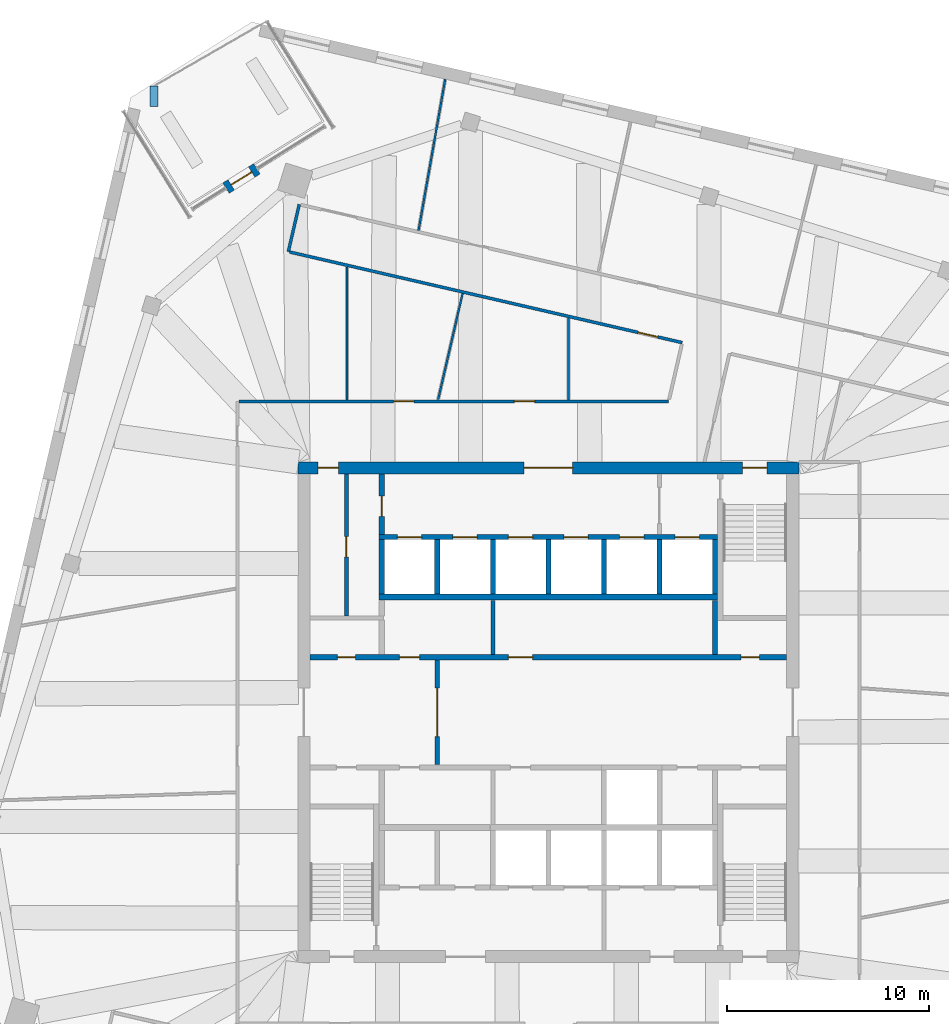
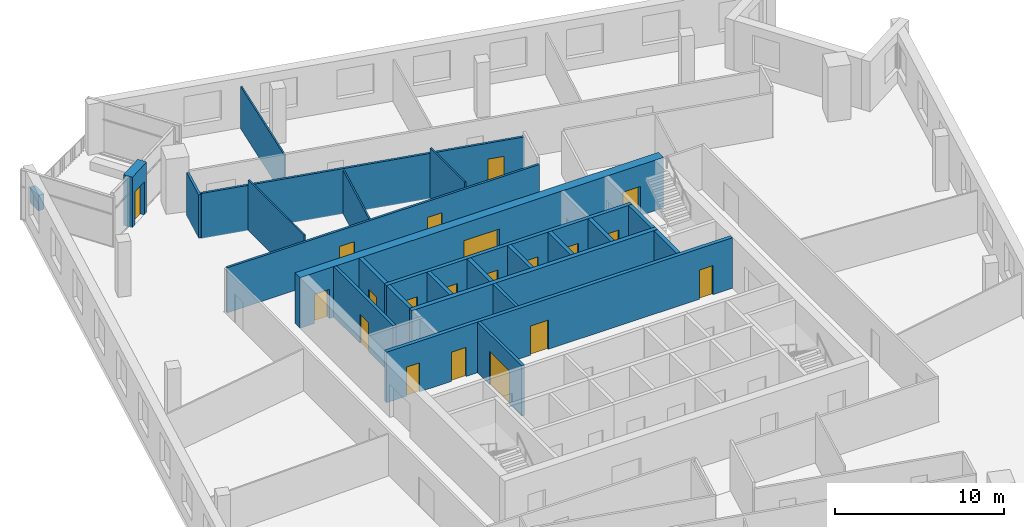
# One storey, part 9 of 14: 25 walls, 20 doors, 20 openings.
"""IFC4 building model written with IfcOpenShell, lengths in metres."""

from ifc_helpers import new_model, si_unit, direction, frame, frame_2d, origin, place, context, subcontext, project, spatial, rectangle, extrude, material, layer, layer_set, type_object, element, fill, save


model = new_model("IFC4")

# Units and contexts
model_context = context("Model", 3, precision=1e-05, world=origin(), true_north=direction((0.0, 1.0)))
body_context = subcontext(model_context, "Body", "Model", "MODEL_VIEW")
ifc_project = project(units=[si_unit("LENGTHUNIT", "METRE"), si_unit("AREAUNIT", "SQUARE_METRE"), si_unit("VOLUMEUNIT", "CUBIC_METRE"), si_unit("PLANEANGLEUNIT", "RADIAN"), si_unit("MASSUNIT", "GRAM", prefix="KILO")], contexts=[model_context])

# Site, building, storey
site_placement = place(None, origin())
site = spatial("IfcSite", under=ifc_project, at=site_placement, CompositionType="ELEMENT")
building_placement = place(site_placement, origin())
building = spatial("IfcBuilding", under=site, at=building_placement, Name="Dilmun Exchange Tower", CompositionType="ELEMENT")
storey_placement = place(building_placement, frame((0.0, 0.0, 336.5)))
storey = spatial("IfcBuildingStorey", under=building, at=storey_placement, Name="L80", CompositionType="ELEMENT", Elevation=336.5)

# Wall, opening, door
ifc_material_1 = material(Name="Concrete C40/50", Category="concrete")
ifc_layer_1 = layer(ifc_material_1, 0.199951171875)
ifc_layer_set_1 = layer_set([ifc_layer_1], Name="Concrete C40/50")
wall_type_1 = type_object("IfcWallType", Name="Core partition wall 200", PredefinedType="PARTITIONING", material=ifc_layer_set_1)
wall_1_placement = place(storey_placement, frame((-5.5, -2.594970703125, 0.0), z_axis=(0.0, 0.0, 1.0), x_axis=(0.0, 1.0, 0.0)))
wall_1 = element("IfcWall", 1, at=wall_1_placement, inside=storey, type_object=wall_type_1, Name="L80 core partition wall 11", PredefinedType="PARTITIONING", context=body_context, shape_type="SweptSolid", body=[
    extrude(rectangle(XDim=5.18994140625, YDim=0.199951171875, at=frame_2d((2.594970703125, 0.0))), origin(), (0.0, 0.0, 1.0), 3.64990234375),
])
opening_1_placement = place(wall_1_placement, frame((1.39501953125, 0.0, 0.0)))
opening_1 = element("IfcOpeningElement", 2, at=opening_1_placement, cuts=wall_1, Name="Opening CD1", PredefinedType="OPENING", context=body_context, shape_type="SweptSolid", body=[
    extrude(rectangle(XDim=2.39990234375, YDim=2.39990234375, at=frame_2d((1.199951171875, 1.199951171875))), frame((0.0, 0.10986328125, 0.0), z_axis=(0.0, -1.0, 0.0), x_axis=(1.0, 0.0, 0.0)), (0.0, 0.0, 1.0), 0.219970703125),
])
ifc_material_2 = material(Name="Fire-rated steel door set", Category="steel")
door_type_1 = type_object("IfcDoorType", Name="Core lobby door 2400x2400", OperationType="DOUBLE_DOOR_DOUBLE_SWING", PredefinedType="DOOR", material=ifc_material_2)
door_1_placement = place(opening_1_placement, origin())
door_1 = element("IfcDoor", 3, at=door_1_placement, inside=storey, type_object=door_type_1, Name="L80 door Lift lobby east", OperationType="SINGLE_SWING_LEFT", OverallHeight=2.39990234375, OverallWidth=2.39990234375, PredefinedType="DOOR", context=body_context, shape_type="SweptSolid", body=[
    extrude(rectangle(XDim=2.39990234375, YDim=2.39990234375, at=frame_2d((1.199951171875, 1.199951171875))), frame((0.0, 0.02490234375, 0.0), z_axis=(0.0, -1.0, 0.0), x_axis=(1.0, 0.0, 0.0)), (0.0, 0.0, 1.0), 0.050048828125),
])
fill(opening_1, door_1)

# Wall
wall_2_placement = place(storey_placement, frame((-2.75, 2.85498046875, 0.0), z_axis=(0.0, 0.0, 1.0), x_axis=(0.0, 1.0, 0.0)))
element("IfcWall", 4, at=wall_2_placement, inside=storey, type_object=wall_type_1, Name="L80 core partition wall 14", PredefinedType="PARTITIONING", context=body_context, shape_type="SweptSolid", body=[
    extrude(rectangle(XDim=2.68994140625, YDim=0.199951171875, at=frame_2d((1.344970703125, 0.0))), origin(), (0.0, 0.0, 1.0), 3.64990234375),
])

# Wall, opening, door
wall_3_placement = place(storey_placement, frame((-10.0, 4.780029296875, 0.0), z_axis=(0.0, 0.0, 1.0), x_axis=(0.0, 1.0, 0.0)))
wall_3 = element("IfcWall", 5, at=wall_3_placement, inside=storey, type_object=wall_type_1, Name="L80 core partition wall 17", PredefinedType="PARTITIONING", context=body_context, shape_type="SweptSolid", body=[
    extrude(rectangle(XDim=7.014892578125, YDim=0.199951171875, at=frame_2d((3.50732421875, 0.0))), origin(), (0.0, 0.0, 1.0), 3.64990234375),
])
opening_2_placement = place(wall_3_placement, frame((2.919921875, 0.0, 0.0)))
opening_2 = element("IfcOpeningElement", 6, at=opening_2_placement, cuts=wall_3, Name="Opening CD4", PredefinedType="OPENING", context=body_context, shape_type="SweptSolid", body=[
    extrude(rectangle(XDim=1.0, YDim=2.10009765625, at=frame_2d((0.5, 1.050048828125))), frame((0.0, 0.10986328125, 0.0), z_axis=(0.0, -1.0, 0.0), x_axis=(1.0, 0.0, 0.0)), (0.0, 0.0, 1.0), 0.219970703125),
])
door_type_2 = type_object("IfcDoorType", Name="Core room door 1000x2100", OperationType="SINGLE_SWING_LEFT", PredefinedType="DOOR", material=ifc_material_2)
door_2_placement = place(opening_2_placement, origin())
door_2 = element("IfcDoor", 7, at=door_2_placement, inside=storey, type_object=door_type_2, Name="L80 door Comms room", OperationType="SINGLE_SWING_LEFT", OverallHeight=2.10009765625, OverallWidth=1.0, PredefinedType="DOOR", context=body_context, shape_type="SweptSolid", body=[
    extrude(rectangle(XDim=1.0, YDim=2.10009765625, at=frame_2d((0.5, 1.050048828125))), frame((0.0, 0.02490234375, 0.0), z_axis=(0.0, -1.0, 0.0), x_axis=(1.0, 0.0, 0.0)), (0.0, 0.0, 1.0), 0.050048828125),
])
fill(opening_2, door_2)

# Wall, openings, doors
ifc_layer_2 = layer(ifc_material_1, 0.25)
ifc_layer_set_2 = layer_set([ifc_layer_2], Name="Concrete C40/50")
wall_type_2 = type_object("IfcWallType", Name="Core partition wall 250", PredefinedType="PARTITIONING", material=ifc_layer_set_2)
wall_4_placement = place(storey_placement, frame((-11.794921875, 2.72509765625, 0.0), z_axis=(0.0, 0.0, 1.0), x_axis=(1.0, 0.0, 0.0)))
wall_4 = element("IfcWall", 8, at=wall_4_placement, inside=storey, type_object=wall_type_2, Name="L80 core partition wall 12", PredefinedType="PARTITIONING", context=body_context, shape_type="SweptSolid", body=[
    extrude(rectangle(XDim=23.58984375, YDim=0.25, at=frame_2d((11.794921875, 0.0))), origin(), (0.0, 0.0, 1.0), 3.64990234375),
])
opening_3_placement = place(wall_4_placement, frame((21.344970703125, 0.0, 0.0)))
opening_3 = element("IfcOpeningElement", 9, at=opening_3_placement, cuts=wall_4, Name="Opening CD6", PredefinedType="OPENING", context=body_context, shape_type="SweptSolid", body=[
    extrude(rectangle(XDim=0.89990234375, YDim=2.10009765625, at=frame_2d((0.449951171875, 1.050048828125))), frame((0.0, 0.135009765625, 0.0), z_axis=(0.0, -1.0, 0.0), x_axis=(1.0, 0.0, 0.0)), (0.0, 0.0, 1.0), 0.27001953125),
])
opening_4_placement = place(wall_4_placement, frame((1.344970703125, 0.0, 0.0)))
opening_4 = element("IfcOpeningElement", 10, at=opening_4_placement, cuts=wall_4, Name="Opening CD6", PredefinedType="OPENING", context=body_context, shape_type="SweptSolid", body=[
    extrude(rectangle(XDim=0.89990234375, YDim=2.10009765625, at=frame_2d((0.449951171875, 1.050048828125))), frame((0.0, 0.135009765625, 0.0), z_axis=(0.0, -1.0, 0.0), x_axis=(1.0, 0.0, 0.0)), (0.0, 0.0, 1.0), 0.27001953125),
])
opening_5_placement = place(wall_4_placement, frame((4.419921875, 0.0, 0.0)))
opening_5 = element("IfcOpeningElement", 11, at=opening_5_placement, cuts=wall_4, Name="Opening CD4", PredefinedType="OPENING", context=body_context, shape_type="SweptSolid", body=[
    extrude(rectangle(XDim=1.0, YDim=2.10009765625, at=frame_2d((0.5, 1.050048828125))), frame((0.0, 0.135009765625, 0.0), z_axis=(0.0, -1.0, 0.0), x_axis=(1.0, 0.0, 0.0)), (0.0, 0.0, 1.0), 0.27001953125),
])
opening_6_placement = place(wall_4_placement, frame((9.820068359375, 0.0, 0.0)))
opening_6 = element("IfcOpeningElement", 12, at=opening_6_placement, cuts=wall_4, Name="Opening CD3", PredefinedType="OPENING", context=body_context, shape_type="SweptSolid", body=[
    extrude(rectangle(XDim=1.199951171875, YDim=2.10009765625, at=frame_2d((0.60009765625, 1.050048828125))), frame((0.0, 0.135009765625, 0.0), z_axis=(0.0, -1.0, 0.0), x_axis=(1.0, 0.0, 0.0)), (0.0, 0.0, 1.0), 0.27001953125),
])
door_3_placement = place(opening_5_placement, origin())
door_3 = element("IfcDoor", 13, at=door_3_placement, inside=storey, type_object=door_type_2, Name="L80 door Archive store", OperationType="SINGLE_SWING_LEFT", OverallHeight=2.10009765625, OverallWidth=1.0, PredefinedType="DOOR", context=body_context, shape_type="SweptSolid", body=[
    extrude(rectangle(XDim=1.0, YDim=2.10009765625, at=frame_2d((0.5, 1.050048828125))), frame((0.0, 0.02490234375, 0.0), z_axis=(0.0, -1.0, 0.0), x_axis=(1.0, 0.0, 0.0)), (0.0, 0.0, 1.0), 0.050048828125),
])
fill(opening_5, door_3)
door_type_3 = type_object("IfcDoorType", Name="Core room door 900x2100", OperationType="SINGLE_SWING_LEFT", PredefinedType="DOOR", material=ifc_material_2)
door_4_placement = place(opening_3_placement, origin())
door_4 = element("IfcDoor", 14, at=door_4_placement, inside=storey, type_object=door_type_3, Name="L80 door Electrical riser", OperationType="SINGLE_SWING_LEFT", OverallHeight=2.10009765625, OverallWidth=0.89990234375, PredefinedType="DOOR", context=body_context, shape_type="SweptSolid", body=[
    extrude(rectangle(XDim=0.89990234375, YDim=2.10009765625, at=frame_2d((0.449951171875, 1.050048828125))), frame((0.0, 0.02490234375, 0.0), z_axis=(0.0, -1.0, 0.0), x_axis=(1.0, 0.0, 0.0)), (0.0, 0.0, 1.0), 0.050048828125),
])
fill(opening_3, door_4)
door_5_placement = place(opening_4_placement, origin())
door_5 = element("IfcDoor", 15, at=door_5_placement, inside=storey, type_object=door_type_3, Name="L80 door Plumbing riser", OperationType="SINGLE_SWING_LEFT", OverallHeight=2.10009765625, OverallWidth=0.89990234375, PredefinedType="DOOR", context=body_context, shape_type="SweptSolid", body=[
    extrude(rectangle(XDim=0.89990234375, YDim=2.10009765625, at=frame_2d((0.449951171875, 1.050048828125))), frame((0.0, 0.02490234375, 0.0), z_axis=(0.0, -1.0, 0.0), x_axis=(1.0, 0.0, 0.0)), (0.0, 0.0, 1.0), 0.050048828125),
])
fill(opening_4, door_5)
door_type_4 = type_object("IfcDoorType", Name="Stair exit door 1200x2100", OperationType="SINGLE_SWING_LEFT", PredefinedType="DOOR", material=ifc_material_2)
door_6_placement = place(opening_6_placement, origin())
door_6 = element("IfcDoor", 16, at=door_6_placement, inside=storey, type_object=door_type_4, Name="L80 door Facilities workshop", OperationType="SINGLE_SWING_LEFT", OverallHeight=2.10009765625, OverallWidth=1.199951171875, PredefinedType="DOOR", context=body_context, shape_type="SweptSolid", body=[
    extrude(rectangle(XDim=1.199951171875, YDim=2.10009765625, at=frame_2d((0.60009765625, 1.050048828125))), frame((0.0, 0.02490234375, 0.0), z_axis=(0.0, -1.0, 0.0), x_axis=(1.0, 0.0, 0.0)), (0.0, 0.0, 1.0), 0.050048828125),
])
fill(opening_6, door_6)

# Wall
wall_5_placement = place(storey_placement, frame((8.25, 2.85498046875, 0.0), z_axis=(0.0, 0.0, 1.0), x_axis=(0.0, 1.0, 0.0)))
element("IfcWall", 17, at=wall_5_placement, inside=storey, type_object=wall_type_2, Name="L80 core partition wall 15", PredefinedType="PARTITIONING", context=body_context, shape_type="SweptSolid", body=[
    extrude(rectangle(XDim=2.68994140625, YDim=0.25, at=frame_2d((1.344970703125, 0.0))), origin(), (0.0, 0.0, 1.0), 3.64990234375),
])

# Wall, opening, door
wall_6_placement = place(storey_placement, frame((-8.25, 8.804931640625, 0.0), z_axis=(0.0, 0.0, 1.0), x_axis=(0.0, 1.0, 0.0)))
wall_6 = element("IfcWall", 18, at=wall_6_placement, inside=storey, type_object=wall_type_2, Name="L80 core partition wall 19", PredefinedType="PARTITIONING", context=body_context, shape_type="SweptSolid", body=[
    extrude(rectangle(XDim=2.989990234375, YDim=0.25, at=frame_2d((1.4951171875, 0.0))), origin(), (0.0, 0.0, 1.0), 3.64990234375),
])
opening_7_placement = place(wall_6_placement, frame((0.89501953125, 0.0, 0.0)))
opening_7 = element("IfcOpeningElement", 19, at=opening_7_placement, cuts=wall_6, Name="Opening CD4", PredefinedType="OPENING", context=body_context, shape_type="SweptSolid", body=[
    extrude(rectangle(XDim=1.0, YDim=2.10009765625, at=frame_2d((0.5, 1.050048828125))), frame((0.0, 0.135009765625, 0.0), z_axis=(0.0, -1.0, 0.0), x_axis=(1.0, 0.0, 0.0)), (0.0, 0.0, 1.0), 0.27001953125),
])
door_7_placement = place(opening_7_placement, origin())
door_7 = element("IfcDoor", 20, at=door_7_placement, inside=storey, type_object=door_type_2, Name="L80 door Security room", OperationType="SINGLE_SWING_LEFT", OverallHeight=2.10009765625, OverallWidth=1.0, PredefinedType="DOOR", context=body_context, shape_type="SweptSolid", body=[
    extrude(rectangle(XDim=1.0, YDim=2.10009765625, at=frame_2d((0.5, 1.050048828125))), frame((0.0, 0.02490234375, 0.0), z_axis=(0.0, -1.0, 0.0), x_axis=(1.0, 0.0, 0.0)), (0.0, 0.0, 1.0), 0.050048828125),
])
fill(opening_7, door_7)

# Wall, openings, doors
ifc_material_3 = material(Name="Concrete C50/60", Category="concrete")
ifc_layer_3 = layer(ifc_material_3, 0.60009765625)
ifc_layer_set_3 = layer_set([ifc_layer_3], Name="Concrete C50/60")
wall_type_3 = type_object("IfcWallType", Name="Core shear wall 600 Concrete C50/60", PredefinedType="SHEAR", material=ifc_layer_set_3)
wall_7_placement = place(storey_placement, frame((-12.39990234375, 12.10009765625, 0.0), z_axis=(0.0, 0.0, 1.0), x_axis=(1.0, 0.0, 0.0)))
wall_7 = element("IfcWall", 21, at=wall_7_placement, inside=storey, type_object=wall_type_3, Name="L80 core shear wall N", PredefinedType="SHEAR", context=body_context, shape_type="SweptSolid", body=[
    extrude(rectangle(XDim=24.7998046875, YDim=0.60009765625, at=frame_2d((12.39990234375, 0.0))), origin(), (0.0, 0.0, 1.0), 3.64990234375),
])
opening_8_placement = place(wall_7_placement, frame((11.199951171875, 0.0, 0.0)))
opening_8 = element("IfcOpeningElement", 22, at=opening_8_placement, cuts=wall_7, Name="Opening CD1", PredefinedType="OPENING", context=body_context, shape_type="SweptSolid", body=[
    extrude(rectangle(XDim=2.39990234375, YDim=2.39990234375, at=frame_2d((1.199951171875, 1.199951171875))), frame((0.0, 0.31005859375, 0.0), z_axis=(0.0, -1.0, 0.0), x_axis=(1.0, 0.0, 0.0)), (0.0, 0.0, 1.0), 0.6201171875),
])
opening_9_placement = place(wall_7_placement, frame((22.02490234375, 0.0, 0.0)))
opening_9 = element("IfcOpeningElement", 23, at=opening_9_placement, cuts=wall_7, Name="Opening CD3", PredefinedType="OPENING", context=body_context, shape_type="SweptSolid", body=[
    extrude(rectangle(XDim=1.199951171875, YDim=2.10009765625, at=frame_2d((0.60009765625, 1.050048828125))), frame((0.0, 0.31005859375, 0.0), z_axis=(0.0, -1.0, 0.0), x_axis=(1.0, 0.0, 0.0)), (0.0, 0.0, 1.0), 0.6201171875),
])
opening_10_placement = place(wall_7_placement, frame((1.0, 0.0, 0.0)))
opening_10 = element("IfcOpeningElement", 24, at=opening_10_placement, cuts=wall_7, Name="Opening CD4", PredefinedType="OPENING", context=body_context, shape_type="SweptSolid", body=[
    extrude(rectangle(XDim=1.0, YDim=2.10009765625, at=frame_2d((0.5, 1.050048828125))), frame((0.0, 0.31005859375, 0.0), z_axis=(0.0, -1.0, 0.0), x_axis=(1.0, 0.0, 0.0)), (0.0, 0.0, 1.0), 0.6201171875),
])
door_8_placement = place(opening_8_placement, origin())
door_8 = element("IfcDoor", 25, at=door_8_placement, inside=storey, type_object=door_type_1, Name="L80 door North lift lobby", OperationType="SINGLE_SWING_LEFT", OverallHeight=2.39990234375, OverallWidth=2.39990234375, PredefinedType="DOOR", context=body_context, shape_type="SweptSolid", body=[
    extrude(rectangle(XDim=2.39990234375, YDim=2.39990234375, at=frame_2d((1.199951171875, 1.199951171875))), frame((0.0, 0.02490234375, 0.0), z_axis=(0.0, -1.0, 0.0), x_axis=(1.0, 0.0, 0.0)), (0.0, 0.0, 1.0), 0.050048828125),
])
fill(opening_8, door_8)
door_9_placement = place(opening_10_placement, origin())
door_9 = element("IfcDoor", 26, at=door_9_placement, inside=storey, type_object=door_type_2, Name="L80 door North-west core rooms", OperationType="SINGLE_SWING_LEFT", OverallHeight=2.10009765625, OverallWidth=1.0, PredefinedType="DOOR", context=body_context, shape_type="SweptSolid", body=[
    extrude(rectangle(XDim=1.0, YDim=2.10009765625, at=frame_2d((0.5, 1.050048828125))), frame((0.0, 0.02490234375, 0.0), z_axis=(0.0, -1.0, 0.0), x_axis=(1.0, 0.0, 0.0)), (0.0, 0.0, 1.0), 0.050048828125),
])
fill(opening_10, door_9)
door_10_placement = place(opening_9_placement, origin())
door_10 = element("IfcDoor", 27, at=door_10_placement, inside=storey, type_object=door_type_4, Name="L80 door Stair ST1", OperationType="SINGLE_SWING_LEFT", OverallHeight=2.10009765625, OverallWidth=1.199951171875, PredefinedType="DOOR", context=body_context, shape_type="SweptSolid", body=[
    extrude(rectangle(XDim=1.199951171875, YDim=2.10009765625, at=frame_2d((0.60009765625, 1.050048828125))), frame((0.0, 0.02490234375, 0.0), z_axis=(0.0, -1.0, 0.0), x_axis=(1.0, 0.0, 0.0)), (0.0, 0.0, 1.0), 0.050048828125),
])
fill(opening_9, door_10)

ifc_material_4 = material(Name="Corridor wall 150")
ifc_layer_4 = layer(ifc_material_4, 0.14990234375)
ifc_layer_set_4 = layer_set([ifc_layer_4], Name="Corridor wall 150")
wall_type_4 = type_object("IfcWallType", Name="Corridor wall 150", PredefinedType="PARTITIONING", material=ifc_layer_set_4)
wall_8_placement = place(storey_placement, frame((-15.324951171875, 15.39990234375, 0.0), z_axis=(0.0, 0.0, 1.0), x_axis=(1.0, 0.0, 0.0)))
wall_8 = element("IfcWall", 28, at=wall_8_placement, inside=storey, type_object=wall_type_4, Name="Corridor wall", PredefinedType="PARTITIONING", context=body_context, shape_type="SweptSolid", body=[
    extrude(rectangle(XDim=21.284912109375, YDim=0.14990234375, at=frame_2d((10.642578125, 0.0))), origin(), (0.0, 0.0, 1.0), 3.25),
])
opening_11_placement = place(wall_8_placement, frame((7.665283203125, 0.0, 0.0)))
opening_11 = element("IfcOpeningElement", 29, at=opening_11_placement, cuts=wall_8, Name="Opening TF79-D07", PredefinedType="OPENING", context=body_context, shape_type="SweptSolid", body=[
    extrude(rectangle(XDim=1.0, YDim=2.10009765625, at=frame_2d((0.5, 1.050048828125))), frame((0.0, 0.0849609375, 0.0), z_axis=(0.0, -1.0, 0.0), x_axis=(1.0, 0.0, 0.0)), (0.0, 0.0, 1.0), 0.169921875),
])
opening_12_placement = place(wall_8_placement, frame((13.646728515625, 0.0, 0.0)))
opening_12 = element("IfcOpeningElement", 30, at=opening_12_placement, cuts=wall_8, Name="Opening TF79-D09", PredefinedType="OPENING", context=body_context, shape_type="SweptSolid", body=[
    extrude(rectangle(XDim=1.0, YDim=2.10009765625, at=frame_2d((0.5, 1.050048828125))), frame((0.0, 0.0849609375, 0.0), z_axis=(0.0, -1.0, 0.0), x_axis=(1.0, 0.0, 0.0)), (0.0, 0.0, 1.0), 0.169921875),
])
ifc_material_5 = material(Name="Fire door 1000 x 2100")
door_type_5 = type_object("IfcDoorType", Name="Fire door 1000 x 2100", OperationType="NOTDEFINED", PredefinedType="DOOR", material=ifc_material_5)
door_11_placement = place(opening_11_placement, origin())
door_11 = element("IfcDoor", 31, at=door_11_placement, inside=storey, type_object=door_type_5, Name="Door TF79-D07", OperationType="SINGLE_SWING_LEFT", OverallHeight=2.10009765625, OverallWidth=1.0, PredefinedType="DOOR", context=body_context, shape_type="SweptSolid", body=[
    extrude(rectangle(XDim=1.0, YDim=2.10009765625, at=frame_2d((0.5, 1.050048828125))), frame((0.0, 0.02490234375, 0.0), z_axis=(0.0, -1.0, 0.0), x_axis=(1.0, 0.0, 0.0)), (0.0, 0.0, 1.0), 0.050048828125),
])
fill(opening_11, door_11)
door_12_placement = place(opening_12_placement, origin())
door_12 = element("IfcDoor", 32, at=door_12_placement, inside=storey, type_object=door_type_5, Name="Door TF79-D09", OperationType="SINGLE_SWING_RIGHT", OverallHeight=2.10009765625, OverallWidth=1.0, PredefinedType="DOOR", context=body_context, shape_type="SweptSolid", body=[
    extrude(rectangle(XDim=1.0, YDim=2.10009765625, at=frame_2d((0.5, 1.050048828125))), frame((0.0, 0.02490234375, 0.0), z_axis=(0.0, -1.0, 0.0), x_axis=(1.0, 0.0, 0.0)), (0.0, 0.0, 1.0), 0.050048828125),
])
fill(opening_12, door_12)

# Wall
wall_9_placement = place(storey_placement, frame((-12.875, 22.806884765625, 0.0), z_axis=(0.0, 0.0, 1.0), x_axis=(0.224956061598, 0.974368908756, 0.0)))
element("IfcWall", 33, at=wall_9_placement, inside=storey, type_object=wall_type_4, Name="Corridor wall", PredefinedType="PARTITIONING", context=body_context, shape_type="SweptSolid", body=[
    extrude(rectangle(XDim=2.400634765625, YDim=0.14990234375, at=frame_2d((1.2001953125, 0.0))), origin(), (0.0, 0.0, 1.0), 3.1298828125),
])

# Wall, opening, door
wall_10_placement = place(storey_placement, frame((-12.802001953125, 22.7900390625, 0.0), z_axis=(0.0, 0.0, 1.0), x_axis=(0.974371384758, -0.224945336838, 0.0)))
wall_10 = element("IfcWall", 34, at=wall_10_placement, inside=storey, type_object=wall_type_4, Name="Corridor wall", PredefinedType="PARTITIONING", context=body_context, shape_type="SweptSolid", body=[
    extrude(rectangle(XDim=19.943115234375, YDim=0.14990234375, at=frame_2d((9.9716796875, 0.0))), origin(), (0.0, 0.0, 1.0), 3.25),
])
opening_13_placement = place(wall_10_placement, frame((17.705078125, 0.0, 0.0)))
opening_13 = element("IfcOpeningElement", 35, at=opening_13_placement, cuts=wall_10, Name="Opening TF79-D12", PredefinedType="OPENING", context=body_context, shape_type="SweptSolid", body=[
    extrude(rectangle(XDim=1.0, YDim=2.10009765625, at=frame_2d((0.5, 1.050048828125))), frame((0.0, 0.0849609375, 0.0), z_axis=(0.0, -1.0, 0.0), x_axis=(1.0, 0.0, 0.0)), (0.0, 0.0, 1.0), 0.169921875),
])
door_13_placement = place(opening_13_placement, frame((1.0, 0.0, 0.0), z_axis=(0.0, 0.0, 1.0), x_axis=(-1.0, 0.0, 0.0)))
door_13 = element("IfcDoor", 36, at=door_13_placement, inside=storey, type_object=door_type_5, Name="Door TF79-D12", OperationType="SINGLE_SWING_RIGHT", OverallHeight=2.10009765625, OverallWidth=1.0, PredefinedType="DOOR", context=body_context, shape_type="SweptSolid", body=[
    extrude(rectangle(XDim=1.0, YDim=2.10009765625, at=frame_2d((0.5, 1.050048828125))), frame((0.0, 0.02490234375, 0.0), z_axis=(0.0, -1.0, 0.0), x_axis=(1.0, 0.0, 0.0)), (0.0, 0.0, 1.0), 0.050048828125),
])
fill(opening_13, door_13)

# Wall
ifc_layer_5 = layer(ifc_material_1, 0.300048828125)
ifc_layer_set_5 = layer_set([ifc_layer_5], Name="Concrete C40/50")
wall_type_5 = type_object("IfcWallType", Name="Lift shaft shared wall 300", PredefinedType="SOLIDWALL", material=ifc_layer_set_5)
wall_11_placement = place(storey_placement, frame((-8.375, 5.699951171875, 0.0), z_axis=(0.0, 0.0, 1.0), x_axis=(1.0, 0.0, 0.0)))
element("IfcWall", 37, at=wall_11_placement, inside=storey, type_object=wall_type_5, Name="L80 lift shaft rear wall N", PredefinedType="SOLIDWALL", context=body_context, shape_type="SweptSolid", body=[
    extrude(rectangle(XDim=16.75, YDim=0.300048828125, at=frame_2d((8.375, 0.0))), origin(), (0.0, 0.0, 1.0), 3.64990234375),
])

# Wall, openings, doors
ifc_layer_6 = layer(ifc_material_1, 0.25)
ifc_layer_set_6 = layer_set([ifc_layer_6], Name="Concrete C40/50")
wall_type_6 = type_object("IfcWallType", Name="Lift shaft wall 250", PredefinedType="SOLIDWALL", material=ifc_layer_set_6)
wall_12_placement = place(storey_placement, frame((-8.375, 8.675048828125, 0.0), z_axis=(0.0, 0.0, 1.0), x_axis=(1.0, 0.0, 0.0)))
wall_12 = element("IfcWall", 38, at=wall_12_placement, inside=storey, type_object=wall_type_6, Name="L80 lift shaft front wall N2", PredefinedType="SOLIDWALL", context=body_context, shape_type="SweptSolid", body=[
    extrude(rectangle(XDim=16.75, YDim=0.25, at=frame_2d((8.375, 0.0))), origin(), (0.0, 0.0, 1.0), 3.64990234375),
])
opening_14_placement = place(wall_12_placement, frame((0.89990234375, 0.0, 0.0)))
opening_14 = element("IfcOpeningElement", 39, at=opening_14_placement, cuts=wall_12, Name="Opening LD", PredefinedType="OPENING", context=body_context, shape_type="SweptSolid", body=[
    extrude(rectangle(XDim=1.199951171875, YDim=2.10009765625, at=frame_2d((0.60009765625, 1.050048828125))), frame((0.0, 0.135009765625, 0.0), z_axis=(0.0, -1.0, 0.0), x_axis=(1.0, 0.0, 0.0)), (0.0, 0.0, 1.0), 0.27001953125),
])
opening_15_placement = place(wall_12_placement, frame((3.64990234375, 0.0, 0.0)))
opening_15 = element("IfcOpeningElement", 40, at=opening_15_placement, cuts=wall_12, Name="Opening LD", PredefinedType="OPENING", context=body_context, shape_type="SweptSolid", body=[
    extrude(rectangle(XDim=1.199951171875, YDim=2.10009765625, at=frame_2d((0.60009765625, 1.050048828125))), frame((0.0, 0.135009765625, 0.0), z_axis=(0.0, -1.0, 0.0), x_axis=(1.0, 0.0, 0.0)), (0.0, 0.0, 1.0), 0.27001953125),
])
opening_16_placement = place(wall_12_placement, frame((6.39990234375, 0.0, 0.0)))
opening_16 = element("IfcOpeningElement", 41, at=opening_16_placement, cuts=wall_12, Name="Opening LD", PredefinedType="OPENING", context=body_context, shape_type="SweptSolid", body=[
    extrude(rectangle(XDim=1.199951171875, YDim=2.10009765625, at=frame_2d((0.60009765625, 1.050048828125))), frame((0.0, 0.135009765625, 0.0), z_axis=(0.0, -1.0, 0.0), x_axis=(1.0, 0.0, 0.0)), (0.0, 0.0, 1.0), 0.27001953125),
])
opening_17_placement = place(wall_12_placement, frame((9.14990234375, 0.0, 0.0)))
opening_17 = element("IfcOpeningElement", 42, at=opening_17_placement, cuts=wall_12, Name="Opening LD", PredefinedType="OPENING", context=body_context, shape_type="SweptSolid", body=[
    extrude(rectangle(XDim=1.199951171875, YDim=2.10009765625, at=frame_2d((0.60009765625, 1.050048828125))), frame((0.0, 0.135009765625, 0.0), z_axis=(0.0, -1.0, 0.0), x_axis=(1.0, 0.0, 0.0)), (0.0, 0.0, 1.0), 0.27001953125),
])
opening_18_placement = place(wall_12_placement, frame((11.89990234375, 0.0, 0.0)))
opening_18 = element("IfcOpeningElement", 43, at=opening_18_placement, cuts=wall_12, Name="Opening LD", PredefinedType="OPENING", context=body_context, shape_type="SweptSolid", body=[
    extrude(rectangle(XDim=1.199951171875, YDim=2.10009765625, at=frame_2d((0.60009765625, 1.050048828125))), frame((0.0, 0.135009765625, 0.0), z_axis=(0.0, -1.0, 0.0), x_axis=(1.0, 0.0, 0.0)), (0.0, 0.0, 1.0), 0.27001953125),
])
opening_19_placement = place(wall_12_placement, frame((14.64990234375, 0.0, 0.0)))
opening_19 = element("IfcOpeningElement", 44, at=opening_19_placement, cuts=wall_12, Name="Opening LD", PredefinedType="OPENING", context=body_context, shape_type="SweptSolid", body=[
    extrude(rectangle(XDim=1.199951171875, YDim=2.10009765625, at=frame_2d((0.60009765625, 1.050048828125))), frame((0.0, 0.135009765625, 0.0), z_axis=(0.0, -1.0, 0.0), x_axis=(1.0, 0.0, 0.0)), (0.0, 0.0, 1.0), 0.27001953125),
])
door_type_6 = type_object("IfcDoorType", Name="Lift landing door 1200x2100", OperationType="DOUBLE_DOOR_SLIDING", PredefinedType="DOOR", material=ifc_material_2)
door_14_placement = place(opening_14_placement, origin())
door_14 = element("IfcDoor", 45, at=door_14_placement, inside=storey, type_object=door_type_6, Name="L80 landing door HR1", OperationType="DOUBLE_DOOR_SLIDING", OverallHeight=2.10009765625, OverallWidth=1.199951171875, PredefinedType="DOOR", context=body_context, shape_type="SweptSolid", body=[
    extrude(rectangle(XDim=1.199951171875, YDim=2.10009765625, at=frame_2d((0.60009765625, 1.050048828125))), frame((0.0, 0.02490234375, 0.0), z_axis=(0.0, -1.0, 0.0), x_axis=(1.0, 0.0, 0.0)), (0.0, 0.0, 1.0), 0.050048828125),
])
fill(opening_14, door_14)
door_15_placement = place(opening_15_placement, origin())
door_15 = element("IfcDoor", 46, at=door_15_placement, inside=storey, type_object=door_type_6, Name="L80 landing door HR2", OperationType="DOUBLE_DOOR_SLIDING", OverallHeight=2.10009765625, OverallWidth=1.199951171875, PredefinedType="DOOR", context=body_context, shape_type="SweptSolid", body=[
    extrude(rectangle(XDim=1.199951171875, YDim=2.10009765625, at=frame_2d((0.60009765625, 1.050048828125))), frame((0.0, 0.02490234375, 0.0), z_axis=(0.0, -1.0, 0.0), x_axis=(1.0, 0.0, 0.0)), (0.0, 0.0, 1.0), 0.050048828125),
])
fill(opening_15, door_15)
door_16_placement = place(opening_16_placement, origin())
door_16 = element("IfcDoor", 47, at=door_16_placement, inside=storey, type_object=door_type_6, Name="L80 landing door HR3", OperationType="DOUBLE_DOOR_SLIDING", OverallHeight=2.10009765625, OverallWidth=1.199951171875, PredefinedType="DOOR", context=body_context, shape_type="SweptSolid", body=[
    extrude(rectangle(XDim=1.199951171875, YDim=2.10009765625, at=frame_2d((0.60009765625, 1.050048828125))), frame((0.0, 0.02490234375, 0.0), z_axis=(0.0, -1.0, 0.0), x_axis=(1.0, 0.0, 0.0)), (0.0, 0.0, 1.0), 0.050048828125),
])
fill(opening_16, door_16)
door_17_placement = place(opening_17_placement, origin())
door_17 = element("IfcDoor", 48, at=door_17_placement, inside=storey, type_object=door_type_6, Name="L80 landing door HR4", OperationType="DOUBLE_DOOR_SLIDING", OverallHeight=2.10009765625, OverallWidth=1.199951171875, PredefinedType="DOOR", context=body_context, shape_type="SweptSolid", body=[
    extrude(rectangle(XDim=1.199951171875, YDim=2.10009765625, at=frame_2d((0.60009765625, 1.050048828125))), frame((0.0, 0.02490234375, 0.0), z_axis=(0.0, -1.0, 0.0), x_axis=(1.0, 0.0, 0.0)), (0.0, 0.0, 1.0), 0.050048828125),
])
fill(opening_17, door_17)
door_18_placement = place(opening_18_placement, origin())
door_18 = element("IfcDoor", 49, at=door_18_placement, inside=storey, type_object=door_type_6, Name="L80 landing door HR5", OperationType="DOUBLE_DOOR_SLIDING", OverallHeight=2.10009765625, OverallWidth=1.199951171875, PredefinedType="DOOR", context=body_context, shape_type="SweptSolid", body=[
    extrude(rectangle(XDim=1.199951171875, YDim=2.10009765625, at=frame_2d((0.60009765625, 1.050048828125))), frame((0.0, 0.02490234375, 0.0), z_axis=(0.0, -1.0, 0.0), x_axis=(1.0, 0.0, 0.0)), (0.0, 0.0, 1.0), 0.050048828125),
])
fill(opening_18, door_18)
door_19_placement = place(opening_19_placement, origin())
door_19 = element("IfcDoor", 50, at=door_19_placement, inside=storey, type_object=door_type_6, Name="L80 landing door HR6", OperationType="DOUBLE_DOOR_SLIDING", OverallHeight=2.10009765625, OverallWidth=1.199951171875, PredefinedType="DOOR", context=body_context, shape_type="SweptSolid", body=[
    extrude(rectangle(XDim=1.199951171875, YDim=2.10009765625, at=frame_2d((0.60009765625, 1.050048828125))), frame((0.0, 0.02490234375, 0.0), z_axis=(0.0, -1.0, 0.0), x_axis=(1.0, 0.0, 0.0)), (0.0, 0.0, 1.0), 0.050048828125),
])
fill(opening_19, door_19)

# Walls
for number, where, z_axis, x_axis, name in (
    (51, (-8.25, 5.85009765625, 0.0), (0.0, 0.0, 1.0), (0.0, 1.0, 0.0), "L80 lift shaft divider N20"),
    (52, (-5.5, 5.85009765625, 0.0), (0.0, 0.0, 1.0), (0.0, 1.0, 0.0), "L80 lift shaft divider N21"),
    (53, (-2.75, 5.85009765625, 0.0), (0.0, 0.0, 1.0), (0.0, 1.0, 0.0), "L80 lift shaft divider N22"),
    (54, (0.0, 5.85009765625, 0.0), (0.0, 0.0, 1.0), (0.0, 1.0, 0.0), "L80 lift shaft divider N23"),
    (55, (2.75, 5.85009765625, 0.0), (0.0, 0.0, 1.0), (0.0, 1.0, 0.0), "L80 lift shaft divider N24"),
    (56, (5.5, 5.85009765625, 0.0), (0.0, 0.0, 1.0), (0.0, 1.0, 0.0), "L80 lift shaft divider N25"),
    (57, (8.25, 5.85009765625, 0.0), (0.0, 0.0, 1.0), (0.0, 1.0, 0.0), "L80 lift shaft divider N26"),
):
    element("IfcWall", number, at=place(storey_placement, frame(where, z_axis=z_axis, x_axis=x_axis)), inside=storey, type_object=wall_type_6, Name=name, PredefinedType="SOLIDWALL", context=body_context, shape_type="SweptSolid", body=[
        extrude(rectangle(XDim=2.699951171875, YDim=0.25, at=frame_2d((1.35009765625, 0.0))), origin(), (0.0, 0.0, 1.0), 3.64990234375),
    ])
ifc_material_6 = material(Name="Partition 100")
ifc_layer_7 = layer(ifc_material_6, 0.10009765625)
ifc_layer_set_7 = layer_set([ifc_layer_7], Name="Partition 100")
wall_type_7 = type_object("IfcWallType", Name="Partition 100", PredefinedType="PARTITIONING", material=ifc_layer_set_7)
wall_13_placement = place(storey_placement, frame((-9.9599609375, 15.47509765625, 0.0), z_axis=(0.0, 0.0, 1.0), x_axis=(0.0, 1.0, 0.0)))
element("IfcWall", 58, at=wall_13_placement, inside=storey, type_object=wall_type_7, Name="Partition", PredefinedType="PARTITIONING", context=body_context, shape_type="SweptSolid", body=[
    extrude(rectangle(XDim=6.5703125, YDim=0.10009765625, at=frame_2d((3.28515625, 0.0))), origin(), (0.0, 0.0, 1.0), 3.64990234375),
])
wall_14_placement = place(storey_placement, frame((-6.425537109375, 23.861572265625, 0.0), z_axis=(0.0, 0.0, 1.0), x_axis=(0.173571031003, 0.984821352935, 0.0)))
element("IfcWall", 59, at=wall_14_placement, inside=storey, type_object=wall_type_7, Name="Partition", PredefinedType="PARTITIONING", context=body_context, shape_type="SweptSolid", body=[
    extrude(rectangle(XDim=7.60400390625, YDim=0.10009765625, at=frame_2d((3.802001953125, 0.0))), origin(), (0.0, 0.0, 1.0), 3.050048828125),
])
wall_15_placement = place(storey_placement, frame((-5.4580078125, 15.486083984375, 0.0), z_axis=(0.0, 0.0, 1.0), x_axis=(0.224899204936, 0.974382033711, 0.0)))
element("IfcWall", 60, at=wall_15_placement, inside=storey, type_object=wall_type_7, Name="Partition", PredefinedType="PARTITIONING", context=body_context, shape_type="SweptSolid", body=[
    extrude(rectangle(XDim=5.389892578125, YDim=0.10009765625, at=frame_2d((2.69482421875, 0.0))), origin(), (0.0, 0.0, 1.0), 3.1298828125),
])
wall_16_placement = place(storey_placement, frame((0.989990234375, 15.47509765625, 0.0), z_axis=(0.0, 0.0, 1.0), x_axis=(0.0, 1.0, 0.0)))
element("IfcWall", 61, at=wall_16_placement, inside=storey, type_object=wall_type_7, Name="Partition", PredefinedType="PARTITIONING", context=body_context, shape_type="SweptSolid", body=[
    extrude(rectangle(XDim=4.04248046875, YDim=0.10009765625, at=frame_2d((2.021240234375, 0.0))), origin(), (0.0, 0.0, 1.0), 3.64990234375),
])

# Wall, opening, door
ifc_material_7 = material(Name="Precast concrete C50/60", Category="concrete")
ifc_layer_8 = layer(ifc_material_7, 0.60009765625)
ifc_layer_set_8 = layer_set([ifc_layer_8], Name="Precast concrete C50/60")
wall_type_8 = type_object("IfcWallType", Name="Precast stone-clad wall 600", PredefinedType="STANDARD", material=ifc_layer_set_8)
wall_17_placement = place(storey_placement, frame((-14.43212890625, 26.910888671875, 0.0), z_axis=(0.0, 0.0, 1.0), x_axis=(-0.848005922786, -0.529986749759, 0.0)))
wall_17 = element("IfcWall", 62, at=wall_17_placement, inside=storey, type_object=wall_type_8, Name="Facade wall L80-01-D", PredefinedType="STANDARD", context=body_context, shape_type="SweptSolid", body=[
    extrude(rectangle(XDim=1.80029296875, YDim=0.60009765625, at=frame_2d((0.900146484375, 0.0))), origin(), (0.0, 0.0, 1.0), 3.64990234375),
])
opening_20_placement = place(wall_17_placement, frame((0.300048828125, 0.0, 0.0)))
opening_20 = element("IfcOpeningElement", 63, at=opening_20_placement, cuts=wall_17, Name="Opening GD-1", PredefinedType="OPENING", context=body_context, shape_type="SweptSolid", body=[
    extrude(rectangle(XDim=1.199951171875, YDim=2.39990234375, at=frame_2d((0.60009765625, 1.199951171875))), frame((0.0, 0.31005859375, 0.0), z_axis=(0.0, -1.0, 0.0), x_axis=(1.0, 0.0, 0.0)), (0.0, 0.0, 1.0), 0.6201171875),
])
ifc_material_8 = material(Name="Clear low-emissivity glass in aluminium frame", Category="aluminium")
door_type_7 = type_object("IfcDoorType", Name="Glazed garden door 1200 x 2400", OperationType="SINGLE_SWING_LEFT", PredefinedType="DOOR", material=ifc_material_8)
door_20_placement = place(opening_20_placement, origin())
door_20 = element("IfcDoor", 64, at=door_20_placement, inside=storey, type_object=door_type_7, Name="Garden terrace door", OperationType="SINGLE_SWING_LEFT", OverallHeight=2.39990234375, OverallWidth=1.199951171875, PredefinedType="DOOR", context=body_context, shape_type="SweptSolid", body=[
    extrude(rectangle(XDim=1.199951171875, YDim=2.39990234375, at=frame_2d((0.60009765625, 1.199951171875))), frame((0.0, 0.02490234375, 0.0), z_axis=(0.0, -1.0, 0.0), x_axis=(1.0, 0.0, 0.0)), (0.0, 0.0, 1.0), 0.050048828125),
])
fill(opening_20, door_20)

# Wall
ifc_layer_9 = layer(ifc_material_7, 0.39990234375)
ifc_layer_set_9 = layer_set([ifc_layer_9], Name="Precast concrete C50/60")
wall_type_9 = type_object("IfcWallType", Name="Terrace upstand wall 400", PredefinedType="PARAPET", material=ifc_layer_set_9)
wall_18_placement = place(storey_placement, frame((-19.534423828125, 31.009033203125, 0.0), z_axis=(0.0, 0.0, 1.0), x_axis=(0.0, -1.0, 0.0)))
element("IfcWall", 65, at=wall_18_placement, inside=storey, type_object=wall_type_9, Name="Terrace upstand wall 1", PredefinedType="PARAPET", context=body_context, shape_type="SweptSolid", body=[
    extrude(rectangle(XDim=1.009033203125, YDim=0.39990234375, at=frame_2d((0.50439453125, 0.0))), origin(), (0.0, 0.0, 1.0), 1.10009765625),
])

save(model, "model.ifc")
